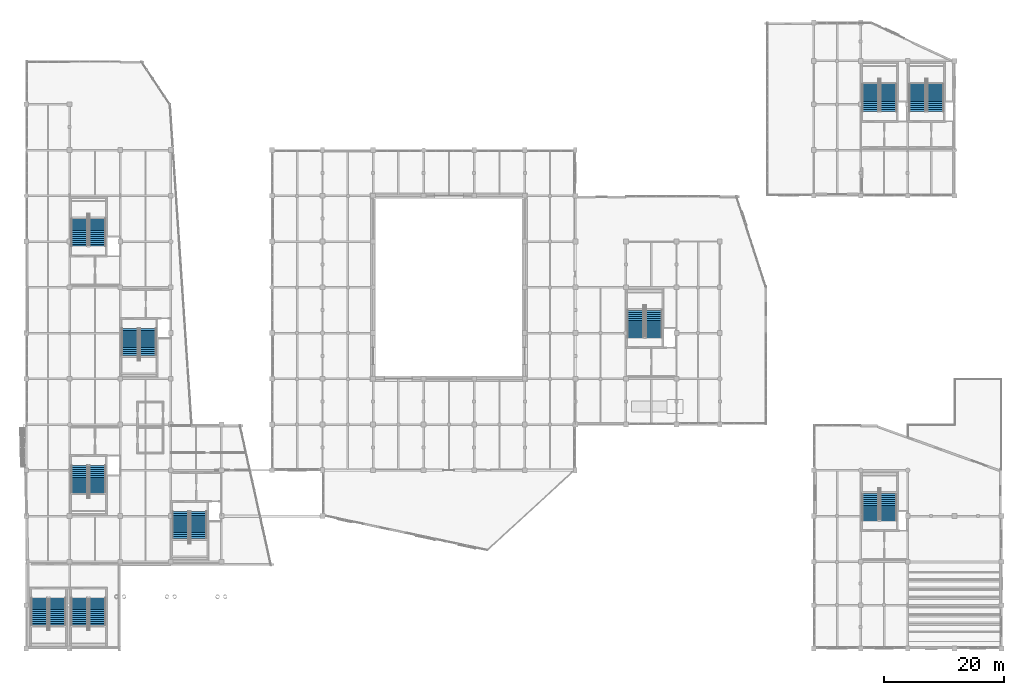
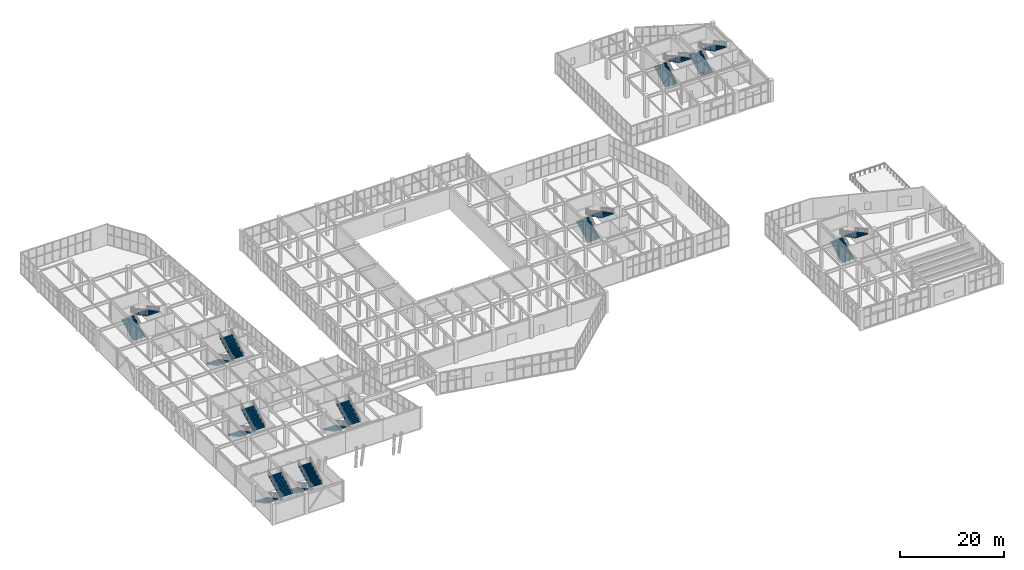
# One storey, part 119 of 128: 20 stair flights, 10 elements without a shape of their own.
"""IFC4 building model written with IfcOpenShell, lengths in metres."""

from ifc_helpers import new_model, si_unit, direction, frame, origin, place, context, subcontext, project, spatial, polyline, outline, extrude, material, type_object, element, aggregate, save


model = new_model("IFC4")

# Units and contexts
model_context = context("Model", 3, precision=1e-05, world=origin(), true_north=direction((0.0, 1.0)))
body_context = subcontext(model_context, "Body", "Model", "MODEL_VIEW")
ifc_project = project(units=[si_unit("LENGTHUNIT", "METRE"), si_unit("AREAUNIT", "SQUARE_METRE"), si_unit("VOLUMEUNIT", "CUBIC_METRE"), si_unit("PLANEANGLEUNIT", "RADIAN"), si_unit("MASSUNIT", "GRAM", prefix="KILO")], contexts=[model_context])

# Site, building, storey
site_placement = place(None, origin())
site = spatial("IfcSite", under=ifc_project, at=site_placement, CompositionType="ELEMENT")
building_placement = place(site_placement, origin())
building = spatial("IfcBuilding", under=site, at=building_placement, Name="Xicomal Pleat Aquarium", CompositionType="ELEMENT")
storey_placement = place(building_placement, frame((0.0, 0.0, 5.39990234375)))
storey = spatial("IfcBuildingStorey", under=building, at=storey_placement, Name="L02", CompositionType="ELEMENT", Elevation=5.39990234375)

# Stair, stair flights
ifc_material_1 = material(Name="Concrete C35/45", Category="concrete")
stair_type = type_object("IfcStairType", Name="STR-HT-5100-2400", PredefinedType="HALF_TURN_STAIR", material=ifc_material_1)
stair_1_placement = place(storey_placement, origin())
stair_1 = element("IfcStair", 1, at=stair_1_placement, inside=storey, type_object=stair_type, Name="ST-01 fire exit stair L02 to L03", PredefinedType="HALF_TURN_STAIR")
ifc_material_2 = material(Name="Concrete C35/45", Category="concrete")
stair_flight_type = type_object("IfcStairFlightType", Name="STF-5100-2400", PredefinedType="STRAIGHT", material=ifc_material_2)
stair_flight_1_placement = place(storey_placement, frame((11.81005859375, 31.179931640625, 0.0), z_axis=(0.0, 0.0, 1.0), x_axis=(0.0, -1.0, 0.0)))
stair_flight_1 = element("IfcStairFlight", 2, at=stair_flight_1_placement, type_object=stair_flight_type, Name="ST-01 flight 1", NumberOfRisers=15, NumberOfTreads=14, PredefinedType="STRAIGHT", RiserHeight=0.17, TreadLength=0.322, context=body_context, shape_type="SweptSolid", body=[
    extrude(outline(polyline([(0.0, 0.0), (0.0, 0.169921875), (0.322021484375, 0.169921875), (0.322021484375, 0.340087890625), (0.64404296875, 0.340087890625), (0.64404296875, 0.510009765625), (0.966064453125, 0.510009765625), (0.966064453125, 0.679931640625), (1.2880859375, 0.679931640625), (1.2880859375, 0.85009765625), (1.610107421875, 0.85009765625), (1.610107421875, 1.02001953125), (1.931884765625, 1.02001953125), (1.931884765625, 1.18994140625), (2.25390625, 1.18994140625), (2.25390625, 1.360107421875), (2.575927734375, 1.360107421875), (2.575927734375, 1.530029296875), (2.89794921875, 1.530029296875), (2.89794921875, 1.699951171875), (3.219970703125, 1.699951171875), (3.219970703125, 1.8701171875), (3.5419921875, 1.8701171875), (3.5419921875, 2.0400390625), (3.864013671875, 2.0400390625), (3.864013671875, 2.2099609375), (4.18603515625, 2.2099609375), (4.18603515625, 2.3798828125), (4.508056640625, 2.3798828125), (4.508056640625, 2.550048828125), (4.508056640625, 2.19921875), (0.342529296875, 0.0), (0.0, 0.0)])), frame((0.0, 1.3701171875, 0.0), z_axis=(0.0, -1.0, 0.0), x_axis=(1.0, 0.0, 0.0)), (0.0, 0.0, 1.0), 2.739990234375),
])
stair_flight_2_placement = place(storey_placement, frame((14.85009765625, 26.672119140625, 2.550048828125), z_axis=(0.0, 0.0, 1.0), x_axis=(0.0, 1.0, 0.0)))
stair_flight_2 = element("IfcStairFlight", 3, at=stair_flight_2_placement, type_object=stair_flight_type, Name="ST-01 flight 2", NumberOfRisers=15, NumberOfTreads=14, PredefinedType="STRAIGHT", RiserHeight=0.17, TreadLength=0.322, context=body_context, shape_type="SweptSolid", body=[
    extrude(outline(polyline([(0.0, 0.0), (0.0, 0.169921875), (0.322021484375, 0.169921875), (0.322021484375, 0.340087890625), (0.64404296875, 0.340087890625), (0.64404296875, 0.510009765625), (0.966064453125, 0.510009765625), (0.966064453125, 0.679931640625), (1.2880859375, 0.679931640625), (1.2880859375, 0.85009765625), (1.610107421875, 0.85009765625), (1.610107421875, 1.02001953125), (1.931884765625, 1.02001953125), (1.931884765625, 1.18994140625), (2.25390625, 1.18994140625), (2.25390625, 1.360107421875), (2.575927734375, 1.360107421875), (2.575927734375, 1.530029296875), (2.89794921875, 1.530029296875), (2.89794921875, 1.699951171875), (3.219970703125, 1.699951171875), (3.219970703125, 1.8701171875), (3.5419921875, 1.8701171875), (3.5419921875, 2.0400390625), (3.864013671875, 2.0400390625), (3.864013671875, 2.2099609375), (4.18603515625, 2.2099609375), (4.18603515625, 2.3798828125), (4.508056640625, 2.3798828125), (4.508056640625, 2.550048828125), (4.508056640625, 2.19921875), (0.342529296875, 0.0), (0.0, 0.0)])), frame((0.0, 1.3701171875, 0.0), z_axis=(0.0, -1.0, 0.0), x_axis=(1.0, 0.0, 0.0)), (0.0, 0.0, 1.0), 2.739990234375),
])
aggregate(stair_1, [stair_flight_1, stair_flight_2])

stair_2_placement = place(storey_placement, origin())
stair_2 = element("IfcStair", 4, at=stair_2_placement, inside=storey, type_object=stair_type, Name="ST-02 fire exit stair L02 to L03", PredefinedType="HALF_TURN_STAIR")
stair_flight_3_placement = place(storey_placement, frame((28.610107421875, 23.580078125, 0.0), z_axis=(0.0, 0.0, 1.0), x_axis=(0.0, -1.0, 0.0)))
stair_flight_3 = element("IfcStairFlight", 5, at=stair_flight_3_placement, type_object=stair_flight_type, Name="ST-02 flight 1", NumberOfRisers=15, NumberOfTreads=14, PredefinedType="STRAIGHT", RiserHeight=0.17, TreadLength=0.322, context=body_context, shape_type="SweptSolid", body=[
    extrude(outline(polyline([(0.0, 0.0), (0.0, 0.169921875), (0.322021484375, 0.169921875), (0.322021484375, 0.340087890625), (0.64404296875, 0.340087890625), (0.64404296875, 0.510009765625), (0.966064453125, 0.510009765625), (0.966064453125, 0.679931640625), (1.2880859375, 0.679931640625), (1.2880859375, 0.85009765625), (1.610107421875, 0.85009765625), (1.610107421875, 1.02001953125), (1.931884765625, 1.02001953125), (1.931884765625, 1.18994140625), (2.25390625, 1.18994140625), (2.25390625, 1.360107421875), (2.575927734375, 1.360107421875), (2.575927734375, 1.530029296875), (2.89794921875, 1.530029296875), (2.89794921875, 1.699951171875), (3.219970703125, 1.699951171875), (3.219970703125, 1.8701171875), (3.5419921875, 1.8701171875), (3.5419921875, 2.0400390625), (3.864013671875, 2.0400390625), (3.864013671875, 2.2099609375), (4.18603515625, 2.2099609375), (4.18603515625, 2.3798828125), (4.508056640625, 2.3798828125), (4.508056640625, 2.550048828125), (4.508056640625, 2.19921875), (0.342529296875, 0.0), (0.0, 0.0)])), frame((0.0, 1.3701171875, 0.0), z_axis=(0.0, -1.0, 0.0), x_axis=(1.0, 0.0, 0.0)), (0.0, 0.0, 1.0), 2.739990234375),
])
stair_flight_4_placement = place(storey_placement, frame((31.64990234375, 19.072021484375, 2.550048828125), z_axis=(0.0, 0.0, 1.0), x_axis=(0.0, 1.0, 0.0)))
stair_flight_4 = element("IfcStairFlight", 6, at=stair_flight_4_placement, type_object=stair_flight_type, Name="ST-02 flight 2", NumberOfRisers=15, NumberOfTreads=14, PredefinedType="STRAIGHT", RiserHeight=0.17, TreadLength=0.322, context=body_context, shape_type="SweptSolid", body=[
    extrude(outline(polyline([(0.0, 0.0), (0.0, 0.169921875), (0.322021484375, 0.169921875), (0.322021484375, 0.340087890625), (0.64404296875, 0.340087890625), (0.64404296875, 0.510009765625), (0.966064453125, 0.510009765625), (0.966064453125, 0.679931640625), (1.2880859375, 0.679931640625), (1.2880859375, 0.85009765625), (1.610107421875, 0.85009765625), (1.610107421875, 1.02001953125), (1.931884765625, 1.02001953125), (1.931884765625, 1.18994140625), (2.25390625, 1.18994140625), (2.25390625, 1.360107421875), (2.575927734375, 1.360107421875), (2.575927734375, 1.530029296875), (2.89794921875, 1.530029296875), (2.89794921875, 1.699951171875), (3.219970703125, 1.699951171875), (3.219970703125, 1.8701171875), (3.5419921875, 1.8701171875), (3.5419921875, 2.0400390625), (3.864013671875, 2.0400390625), (3.864013671875, 2.2099609375), (4.18603515625, 2.2099609375), (4.18603515625, 2.3798828125), (4.508056640625, 2.3798828125), (4.508056640625, 2.550048828125), (4.508056640625, 2.19921875), (0.342529296875, 0.0), (0.0, 0.0)])), frame((0.0, 1.3701171875, 0.0), z_axis=(0.0, -1.0, 0.0), x_axis=(1.0, 0.0, 0.0)), (0.0, 0.0, 1.0), 2.739990234375),
])
aggregate(stair_2, [stair_flight_3, stair_flight_4])

stair_3_placement = place(storey_placement, origin())
stair_3 = element("IfcStair", 7, at=stair_3_placement, inside=storey, type_object=stair_type, Name="ST-03 fire exit stair L02 to L03", PredefinedType="HALF_TURN_STAIR")
stair_flight_5_placement = place(storey_placement, frame((11.81005859375, 67.6201171875, 0.0), z_axis=(0.0, 0.0, 1.0), x_axis=(0.0, 1.0, 0.0)))
stair_flight_5 = element("IfcStairFlight", 8, at=stair_flight_5_placement, type_object=stair_flight_type, Name="ST-03 flight 1", NumberOfRisers=15, NumberOfTreads=14, PredefinedType="STRAIGHT", RiserHeight=0.17, TreadLength=0.322, context=body_context, shape_type="SweptSolid", body=[
    extrude(outline(polyline([(0.0, 0.0), (0.0, 0.169921875), (0.322021484375, 0.169921875), (0.322021484375, 0.340087890625), (0.64404296875, 0.340087890625), (0.64404296875, 0.510009765625), (0.966064453125, 0.510009765625), (0.966064453125, 0.679931640625), (1.2880859375, 0.679931640625), (1.2880859375, 0.85009765625), (1.610107421875, 0.85009765625), (1.610107421875, 1.02001953125), (1.931884765625, 1.02001953125), (1.931884765625, 1.18994140625), (2.25390625, 1.18994140625), (2.25390625, 1.360107421875), (2.575927734375, 1.360107421875), (2.575927734375, 1.530029296875), (2.89794921875, 1.530029296875), (2.89794921875, 1.699951171875), (3.219970703125, 1.699951171875), (3.219970703125, 1.8701171875), (3.5419921875, 1.8701171875), (3.5419921875, 2.0400390625), (3.864013671875, 2.0400390625), (3.864013671875, 2.2099609375), (4.18603515625, 2.2099609375), (4.18603515625, 2.3798828125), (4.508056640625, 2.3798828125), (4.508056640625, 2.550048828125), (4.508056640625, 2.19921875), (0.342529296875, 0.0), (0.0, 0.0)])), frame((0.0, 1.3701171875, 0.0), z_axis=(0.0, -1.0, 0.0), x_axis=(1.0, 0.0, 0.0)), (0.0, 0.0, 1.0), 2.739990234375),
])
stair_flight_6_placement = place(storey_placement, frame((14.85009765625, 72.1279296875, 2.550048828125), z_axis=(0.0, 0.0, 1.0), x_axis=(0.0, -1.0, 0.0)))
stair_flight_6 = element("IfcStairFlight", 9, at=stair_flight_6_placement, type_object=stair_flight_type, Name="ST-03 flight 2", NumberOfRisers=15, NumberOfTreads=14, PredefinedType="STRAIGHT", RiserHeight=0.17, TreadLength=0.322, context=body_context, shape_type="SweptSolid", body=[
    extrude(outline(polyline([(0.0, 0.0), (0.0, 0.169921875), (0.322021484375, 0.169921875), (0.322021484375, 0.340087890625), (0.64404296875, 0.340087890625), (0.64404296875, 0.510009765625), (0.966064453125, 0.510009765625), (0.966064453125, 0.679931640625), (1.2880859375, 0.679931640625), (1.2880859375, 0.85009765625), (1.610107421875, 0.85009765625), (1.610107421875, 1.02001953125), (1.931884765625, 1.02001953125), (1.931884765625, 1.18994140625), (2.25390625, 1.18994140625), (2.25390625, 1.360107421875), (2.575927734375, 1.360107421875), (2.575927734375, 1.530029296875), (2.89794921875, 1.530029296875), (2.89794921875, 1.699951171875), (3.219970703125, 1.699951171875), (3.219970703125, 1.8701171875), (3.5419921875, 1.8701171875), (3.5419921875, 2.0400390625), (3.864013671875, 2.0400390625), (3.864013671875, 2.2099609375), (4.18603515625, 2.2099609375), (4.18603515625, 2.3798828125), (4.508056640625, 2.3798828125), (4.508056640625, 2.550048828125), (4.508056640625, 2.19921875), (0.342529296875, 0.0), (0.0, 0.0)])), frame((0.0, 1.3701171875, 0.0), z_axis=(0.0, -1.0, 0.0), x_axis=(1.0, 0.0, 0.0)), (0.0, 0.0, 1.0), 2.739990234375),
])
aggregate(stair_3, [stair_flight_5, stair_flight_6])

stair_4_placement = place(storey_placement, origin())
stair_4 = element("IfcStair", 10, at=stair_4_placement, inside=storey, type_object=stair_type, Name="ST-04 fire exit stair L02 to L03", PredefinedType="HALF_TURN_STAIR")
stair_flight_7_placement = place(storey_placement, frame((20.2099609375, 53.97998046875, 0.0), z_axis=(0.0, 0.0, 1.0), x_axis=(0.0, -1.0, 0.0)))
stair_flight_7 = element("IfcStairFlight", 11, at=stair_flight_7_placement, type_object=stair_flight_type, Name="ST-04 flight 1", NumberOfRisers=15, NumberOfTreads=14, PredefinedType="STRAIGHT", RiserHeight=0.17, TreadLength=0.322, context=body_context, shape_type="SweptSolid", body=[
    extrude(outline(polyline([(0.0, 0.0), (0.0, 0.169921875), (0.322021484375, 0.169921875), (0.322021484375, 0.340087890625), (0.64404296875, 0.340087890625), (0.64404296875, 0.510009765625), (0.966064453125, 0.510009765625), (0.966064453125, 0.679931640625), (1.2880859375, 0.679931640625), (1.2880859375, 0.85009765625), (1.610107421875, 0.85009765625), (1.610107421875, 1.02001953125), (1.931884765625, 1.02001953125), (1.931884765625, 1.18994140625), (2.25390625, 1.18994140625), (2.25390625, 1.360107421875), (2.575927734375, 1.360107421875), (2.575927734375, 1.530029296875), (2.89794921875, 1.530029296875), (2.89794921875, 1.699951171875), (3.219970703125, 1.699951171875), (3.219970703125, 1.8701171875), (3.5419921875, 1.8701171875), (3.5419921875, 2.0400390625), (3.864013671875, 2.0400390625), (3.864013671875, 2.2099609375), (4.18603515625, 2.2099609375), (4.18603515625, 2.3798828125), (4.508056640625, 2.3798828125), (4.508056640625, 2.550048828125), (4.508056640625, 2.19921875), (0.342529296875, 0.0), (0.0, 0.0)])), frame((0.0, 1.3701171875, 0.0), z_axis=(0.0, -1.0, 0.0), x_axis=(1.0, 0.0, 0.0)), (0.0, 0.0, 1.0), 2.739990234375),
])
stair_flight_8_placement = place(storey_placement, frame((23.25, 49.471923828125, 2.550048828125), z_axis=(0.0, 0.0, 1.0), x_axis=(0.0, 1.0, 0.0)))
stair_flight_8 = element("IfcStairFlight", 12, at=stair_flight_8_placement, type_object=stair_flight_type, Name="ST-04 flight 2", NumberOfRisers=15, NumberOfTreads=14, PredefinedType="STRAIGHT", RiserHeight=0.17, TreadLength=0.322, context=body_context, shape_type="SweptSolid", body=[
    extrude(outline(polyline([(0.0, 0.0), (0.0, 0.169921875), (0.322021484375, 0.169921875), (0.322021484375, 0.340087890625), (0.64404296875, 0.340087890625), (0.64404296875, 0.510009765625), (0.966064453125, 0.510009765625), (0.966064453125, 0.679931640625), (1.2880859375, 0.679931640625), (1.2880859375, 0.85009765625), (1.610107421875, 0.85009765625), (1.610107421875, 1.02001953125), (1.931884765625, 1.02001953125), (1.931884765625, 1.18994140625), (2.25390625, 1.18994140625), (2.25390625, 1.360107421875), (2.575927734375, 1.360107421875), (2.575927734375, 1.530029296875), (2.89794921875, 1.530029296875), (2.89794921875, 1.699951171875), (3.219970703125, 1.699951171875), (3.219970703125, 1.8701171875), (3.5419921875, 1.8701171875), (3.5419921875, 2.0400390625), (3.864013671875, 2.0400390625), (3.864013671875, 2.2099609375), (4.18603515625, 2.2099609375), (4.18603515625, 2.3798828125), (4.508056640625, 2.3798828125), (4.508056640625, 2.550048828125), (4.508056640625, 2.19921875), (0.342529296875, 0.0), (0.0, 0.0)])), frame((0.0, 1.3701171875, 0.0), z_axis=(0.0, -1.0, 0.0), x_axis=(1.0, 0.0, 0.0)), (0.0, 0.0, 1.0), 2.739990234375),
])
aggregate(stair_4, [stair_flight_7, stair_flight_8])

stair_5_placement = place(storey_placement, origin())
stair_5 = element("IfcStair", 13, at=stair_5_placement, inside=storey, type_object=stair_type, Name="ST-05 fire exit stair L02 to L03", PredefinedType="HALF_TURN_STAIR")
stair_flight_9_placement = place(storey_placement, frame((143.2099609375, 90.02001953125, 0.0), z_axis=(0.0, 0.0, 1.0), x_axis=(0.0, 1.0, 0.0)))
stair_flight_9 = element("IfcStairFlight", 14, at=stair_flight_9_placement, type_object=stair_flight_type, Name="ST-05 flight 1", NumberOfRisers=15, NumberOfTreads=14, PredefinedType="STRAIGHT", RiserHeight=0.17, TreadLength=0.322, context=body_context, shape_type="SweptSolid", body=[
    extrude(outline(polyline([(0.0, 0.0), (0.0, 0.169921875), (0.322021484375, 0.169921875), (0.322021484375, 0.340087890625), (0.64404296875, 0.340087890625), (0.64404296875, 0.510009765625), (0.966064453125, 0.510009765625), (0.966064453125, 0.679931640625), (1.2880859375, 0.679931640625), (1.2880859375, 0.85009765625), (1.610107421875, 0.85009765625), (1.610107421875, 1.02001953125), (1.931884765625, 1.02001953125), (1.931884765625, 1.18994140625), (2.25390625, 1.18994140625), (2.25390625, 1.360107421875), (2.575927734375, 1.360107421875), (2.575927734375, 1.530029296875), (2.89794921875, 1.530029296875), (2.89794921875, 1.699951171875), (3.219970703125, 1.699951171875), (3.219970703125, 1.8701171875), (3.5419921875, 1.8701171875), (3.5419921875, 2.0400390625), (3.864013671875, 2.0400390625), (3.864013671875, 2.2099609375), (4.18603515625, 2.2099609375), (4.18603515625, 2.3798828125), (4.508056640625, 2.3798828125), (4.508056640625, 2.550048828125), (4.508056640625, 2.19921875), (0.342529296875, 0.0), (0.0, 0.0)])), frame((0.0, 1.3701171875, 0.0), z_axis=(0.0, -1.0, 0.0), x_axis=(1.0, 0.0, 0.0)), (0.0, 0.0, 1.0), 2.739990234375),
])
stair_flight_10_placement = place(storey_placement, frame((146.25, 94.528076171875, 2.550048828125), z_axis=(0.0, 0.0, 1.0), x_axis=(0.0, -1.0, 0.0)))
stair_flight_10 = element("IfcStairFlight", 15, at=stair_flight_10_placement, type_object=stair_flight_type, Name="ST-05 flight 2", NumberOfRisers=15, NumberOfTreads=14, PredefinedType="STRAIGHT", RiserHeight=0.17, TreadLength=0.322, context=body_context, shape_type="SweptSolid", body=[
    extrude(outline(polyline([(0.0, 0.0), (0.0, 0.169921875), (0.322021484375, 0.169921875), (0.322021484375, 0.340087890625), (0.64404296875, 0.340087890625), (0.64404296875, 0.510009765625), (0.966064453125, 0.510009765625), (0.966064453125, 0.679931640625), (1.2880859375, 0.679931640625), (1.2880859375, 0.85009765625), (1.610107421875, 0.85009765625), (1.610107421875, 1.02001953125), (1.931884765625, 1.02001953125), (1.931884765625, 1.18994140625), (2.25390625, 1.18994140625), (2.25390625, 1.360107421875), (2.575927734375, 1.360107421875), (2.575927734375, 1.530029296875), (2.89794921875, 1.530029296875), (2.89794921875, 1.699951171875), (3.219970703125, 1.699951171875), (3.219970703125, 1.8701171875), (3.5419921875, 1.8701171875), (3.5419921875, 2.0400390625), (3.864013671875, 2.0400390625), (3.864013671875, 2.2099609375), (4.18603515625, 2.2099609375), (4.18603515625, 2.3798828125), (4.508056640625, 2.3798828125), (4.508056640625, 2.550048828125), (4.508056640625, 2.19921875), (0.342529296875, 0.0), (0.0, 0.0)])), frame((0.0, 1.3701171875, 0.0), z_axis=(0.0, -1.0, 0.0), x_axis=(1.0, 0.0, 0.0)), (0.0, 0.0, 1.0), 2.739990234375),
])
aggregate(stair_5, [stair_flight_9, stair_flight_10])

stair_6_placement = place(storey_placement, origin())
stair_6 = element("IfcStair", 16, at=stair_6_placement, inside=storey, type_object=stair_type, Name="ST-06 fire exit stair L02 to L03", PredefinedType="HALF_TURN_STAIR")
stair_flight_11_placement = place(storey_placement, frame((151.010009765625, 90.02001953125, 0.0), z_axis=(0.0, 0.0, 1.0), x_axis=(0.0, 1.0, 0.0)))
stair_flight_11 = element("IfcStairFlight", 17, at=stair_flight_11_placement, type_object=stair_flight_type, Name="ST-06 flight 1", NumberOfRisers=15, NumberOfTreads=14, PredefinedType="STRAIGHT", RiserHeight=0.17, TreadLength=0.322, context=body_context, shape_type="SweptSolid", body=[
    extrude(outline(polyline([(0.0, 0.0), (0.0, 0.169921875), (0.322021484375, 0.169921875), (0.322021484375, 0.340087890625), (0.64404296875, 0.340087890625), (0.64404296875, 0.510009765625), (0.966064453125, 0.510009765625), (0.966064453125, 0.679931640625), (1.2880859375, 0.679931640625), (1.2880859375, 0.85009765625), (1.610107421875, 0.85009765625), (1.610107421875, 1.02001953125), (1.931884765625, 1.02001953125), (1.931884765625, 1.18994140625), (2.25390625, 1.18994140625), (2.25390625, 1.360107421875), (2.575927734375, 1.360107421875), (2.575927734375, 1.530029296875), (2.89794921875, 1.530029296875), (2.89794921875, 1.699951171875), (3.219970703125, 1.699951171875), (3.219970703125, 1.8701171875), (3.5419921875, 1.8701171875), (3.5419921875, 2.0400390625), (3.864013671875, 2.0400390625), (3.864013671875, 2.2099609375), (4.18603515625, 2.2099609375), (4.18603515625, 2.3798828125), (4.508056640625, 2.3798828125), (4.508056640625, 2.550048828125), (4.508056640625, 2.19921875), (0.342529296875, 0.0), (0.0, 0.0)])), frame((0.0, 1.3701171875, 0.0), z_axis=(0.0, -1.0, 0.0), x_axis=(1.0, 0.0, 0.0)), (0.0, 0.0, 1.0), 2.739990234375),
])
stair_flight_12_placement = place(storey_placement, frame((154.050048828125, 94.528076171875, 2.550048828125), z_axis=(0.0, 0.0, 1.0), x_axis=(0.0, -1.0, 0.0)))
stair_flight_12 = element("IfcStairFlight", 18, at=stair_flight_12_placement, type_object=stair_flight_type, Name="ST-06 flight 2", NumberOfRisers=15, NumberOfTreads=14, PredefinedType="STRAIGHT", RiserHeight=0.17, TreadLength=0.322, context=body_context, shape_type="SweptSolid", body=[
    extrude(outline(polyline([(0.0, 0.0), (0.0, 0.169921875), (0.322021484375, 0.169921875), (0.322021484375, 0.340087890625), (0.64404296875, 0.340087890625), (0.64404296875, 0.510009765625), (0.966064453125, 0.510009765625), (0.966064453125, 0.679931640625), (1.2880859375, 0.679931640625), (1.2880859375, 0.85009765625), (1.610107421875, 0.85009765625), (1.610107421875, 1.02001953125), (1.931884765625, 1.02001953125), (1.931884765625, 1.18994140625), (2.25390625, 1.18994140625), (2.25390625, 1.360107421875), (2.575927734375, 1.360107421875), (2.575927734375, 1.530029296875), (2.89794921875, 1.530029296875), (2.89794921875, 1.699951171875), (3.219970703125, 1.699951171875), (3.219970703125, 1.8701171875), (3.5419921875, 1.8701171875), (3.5419921875, 2.0400390625), (3.864013671875, 2.0400390625), (3.864013671875, 2.2099609375), (4.18603515625, 2.2099609375), (4.18603515625, 2.3798828125), (4.508056640625, 2.3798828125), (4.508056640625, 2.550048828125), (4.508056640625, 2.19921875), (0.342529296875, 0.0), (0.0, 0.0)])), frame((0.0, 1.3701171875, 0.0), z_axis=(0.0, -1.0, 0.0), x_axis=(1.0, 0.0, 0.0)), (0.0, 0.0, 1.0), 2.739990234375),
])
aggregate(stair_6, [stair_flight_11, stair_flight_12])

stair_7_placement = place(storey_placement, origin())
stair_7 = element("IfcStair", 19, at=stair_7_placement, inside=storey, type_object=stair_type, Name="ST-07 fire exit stair L02 to L03", PredefinedType="HALF_TURN_STAIR")
stair_flight_13_placement = place(storey_placement, frame((104.2099609375, 52.419921875, 0.0), z_axis=(0.0, 0.0, 1.0), x_axis=(0.0, 1.0, 0.0)))
stair_flight_13 = element("IfcStairFlight", 20, at=stair_flight_13_placement, type_object=stair_flight_type, Name="ST-07 flight 1", NumberOfRisers=15, NumberOfTreads=14, PredefinedType="STRAIGHT", RiserHeight=0.17, TreadLength=0.322, context=body_context, shape_type="SweptSolid", body=[
    extrude(outline(polyline([(0.0, 0.0), (0.0, 0.169921875), (0.322021484375, 0.169921875), (0.322021484375, 0.340087890625), (0.64404296875, 0.340087890625), (0.64404296875, 0.510009765625), (0.966064453125, 0.510009765625), (0.966064453125, 0.679931640625), (1.2880859375, 0.679931640625), (1.2880859375, 0.85009765625), (1.610107421875, 0.85009765625), (1.610107421875, 1.02001953125), (1.931884765625, 1.02001953125), (1.931884765625, 1.18994140625), (2.25390625, 1.18994140625), (2.25390625, 1.360107421875), (2.575927734375, 1.360107421875), (2.575927734375, 1.530029296875), (2.89794921875, 1.530029296875), (2.89794921875, 1.699951171875), (3.219970703125, 1.699951171875), (3.219970703125, 1.8701171875), (3.5419921875, 1.8701171875), (3.5419921875, 2.0400390625), (3.864013671875, 2.0400390625), (3.864013671875, 2.2099609375), (4.18603515625, 2.2099609375), (4.18603515625, 2.3798828125), (4.508056640625, 2.3798828125), (4.508056640625, 2.550048828125), (4.508056640625, 2.19921875), (0.342529296875, 0.0), (0.0, 0.0)])), frame((0.0, 1.3701171875, 0.0), z_axis=(0.0, -1.0, 0.0), x_axis=(1.0, 0.0, 0.0)), (0.0, 0.0, 1.0), 2.739990234375),
])
stair_flight_14_placement = place(storey_placement, frame((107.25, 56.927978515625, 2.550048828125), z_axis=(0.0, 0.0, 1.0), x_axis=(0.0, -1.0, 0.0)))
stair_flight_14 = element("IfcStairFlight", 21, at=stair_flight_14_placement, type_object=stair_flight_type, Name="ST-07 flight 2", NumberOfRisers=15, NumberOfTreads=14, PredefinedType="STRAIGHT", RiserHeight=0.17, TreadLength=0.322, context=body_context, shape_type="SweptSolid", body=[
    extrude(outline(polyline([(0.0, 0.0), (0.0, 0.169921875), (0.322021484375, 0.169921875), (0.322021484375, 0.340087890625), (0.64404296875, 0.340087890625), (0.64404296875, 0.510009765625), (0.966064453125, 0.510009765625), (0.966064453125, 0.679931640625), (1.2880859375, 0.679931640625), (1.2880859375, 0.85009765625), (1.610107421875, 0.85009765625), (1.610107421875, 1.02001953125), (1.931884765625, 1.02001953125), (1.931884765625, 1.18994140625), (2.25390625, 1.18994140625), (2.25390625, 1.360107421875), (2.575927734375, 1.360107421875), (2.575927734375, 1.530029296875), (2.89794921875, 1.530029296875), (2.89794921875, 1.699951171875), (3.219970703125, 1.699951171875), (3.219970703125, 1.8701171875), (3.5419921875, 1.8701171875), (3.5419921875, 2.0400390625), (3.864013671875, 2.0400390625), (3.864013671875, 2.2099609375), (4.18603515625, 2.2099609375), (4.18603515625, 2.3798828125), (4.508056640625, 2.3798828125), (4.508056640625, 2.550048828125), (4.508056640625, 2.19921875), (0.342529296875, 0.0), (0.0, 0.0)])), frame((0.0, 1.3701171875, 0.0), z_axis=(0.0, -1.0, 0.0), x_axis=(1.0, 0.0, 0.0)), (0.0, 0.0, 1.0), 2.739990234375),
])
aggregate(stair_7, [stair_flight_13, stair_flight_14])

stair_8_placement = place(storey_placement, origin())
stair_8 = element("IfcStair", 22, at=stair_8_placement, inside=storey, type_object=stair_type, Name="ST-08 fire exit stair L02 to L03", PredefinedType="HALF_TURN_STAIR")
stair_flight_15_placement = place(storey_placement, frame((143.2099609375, 22.02001953125, 0.0), z_axis=(0.0, 0.0, 1.0), x_axis=(0.0, 1.0, 0.0)))
stair_flight_15 = element("IfcStairFlight", 23, at=stair_flight_15_placement, type_object=stair_flight_type, Name="ST-08 flight 1", NumberOfRisers=15, NumberOfTreads=14, PredefinedType="STRAIGHT", RiserHeight=0.17, TreadLength=0.322, context=body_context, shape_type="SweptSolid", body=[
    extrude(outline(polyline([(0.0, 0.0), (0.0, 0.169921875), (0.322021484375, 0.169921875), (0.322021484375, 0.340087890625), (0.64404296875, 0.340087890625), (0.64404296875, 0.510009765625), (0.966064453125, 0.510009765625), (0.966064453125, 0.679931640625), (1.2880859375, 0.679931640625), (1.2880859375, 0.85009765625), (1.610107421875, 0.85009765625), (1.610107421875, 1.02001953125), (1.931884765625, 1.02001953125), (1.931884765625, 1.18994140625), (2.25390625, 1.18994140625), (2.25390625, 1.360107421875), (2.575927734375, 1.360107421875), (2.575927734375, 1.530029296875), (2.89794921875, 1.530029296875), (2.89794921875, 1.699951171875), (3.219970703125, 1.699951171875), (3.219970703125, 1.8701171875), (3.5419921875, 1.8701171875), (3.5419921875, 2.0400390625), (3.864013671875, 2.0400390625), (3.864013671875, 2.2099609375), (4.18603515625, 2.2099609375), (4.18603515625, 2.3798828125), (4.508056640625, 2.3798828125), (4.508056640625, 2.550048828125), (4.508056640625, 2.19921875), (0.342529296875, 0.0), (0.0, 0.0)])), frame((0.0, 1.3701171875, 0.0), z_axis=(0.0, -1.0, 0.0), x_axis=(1.0, 0.0, 0.0)), (0.0, 0.0, 1.0), 2.739990234375),
])
stair_flight_16_placement = place(storey_placement, frame((146.25, 26.528076171875, 2.550048828125), z_axis=(0.0, 0.0, 1.0), x_axis=(0.0, -1.0, 0.0)))
stair_flight_16 = element("IfcStairFlight", 24, at=stair_flight_16_placement, type_object=stair_flight_type, Name="ST-08 flight 2", NumberOfRisers=15, NumberOfTreads=14, PredefinedType="STRAIGHT", RiserHeight=0.17, TreadLength=0.322, context=body_context, shape_type="SweptSolid", body=[
    extrude(outline(polyline([(0.0, 0.0), (0.0, 0.169921875), (0.322021484375, 0.169921875), (0.322021484375, 0.340087890625), (0.64404296875, 0.340087890625), (0.64404296875, 0.510009765625), (0.966064453125, 0.510009765625), (0.966064453125, 0.679931640625), (1.2880859375, 0.679931640625), (1.2880859375, 0.85009765625), (1.610107421875, 0.85009765625), (1.610107421875, 1.02001953125), (1.931884765625, 1.02001953125), (1.931884765625, 1.18994140625), (2.25390625, 1.18994140625), (2.25390625, 1.360107421875), (2.575927734375, 1.360107421875), (2.575927734375, 1.530029296875), (2.89794921875, 1.530029296875), (2.89794921875, 1.699951171875), (3.219970703125, 1.699951171875), (3.219970703125, 1.8701171875), (3.5419921875, 1.8701171875), (3.5419921875, 2.0400390625), (3.864013671875, 2.0400390625), (3.864013671875, 2.2099609375), (4.18603515625, 2.2099609375), (4.18603515625, 2.3798828125), (4.508056640625, 2.3798828125), (4.508056640625, 2.550048828125), (4.508056640625, 2.19921875), (0.342529296875, 0.0), (0.0, 0.0)])), frame((0.0, 1.3701171875, 0.0), z_axis=(0.0, -1.0, 0.0), x_axis=(1.0, 0.0, 0.0)), (0.0, 0.0, 1.0), 2.739990234375),
])
aggregate(stair_8, [stair_flight_15, stair_flight_16])

stair_9_placement = place(storey_placement, origin())
stair_9 = element("IfcStair", 25, at=stair_9_placement, inside=storey, type_object=stair_type, Name="ST-09 fire exit stair L02 to L03", PredefinedType="HALF_TURN_STAIR")
stair_flight_17_placement = place(storey_placement, frame((11.81005859375, 9.179931640625, 0.0), z_axis=(0.0, 0.0, 1.0), x_axis=(0.0, -1.0, 0.0)))
stair_flight_17 = element("IfcStairFlight", 26, at=stair_flight_17_placement, type_object=stair_flight_type, Name="ST-09 flight 1", NumberOfRisers=15, NumberOfTreads=14, PredefinedType="STRAIGHT", RiserHeight=0.17, TreadLength=0.322, context=body_context, shape_type="SweptSolid", body=[
    extrude(outline(polyline([(0.0, 0.0), (0.0, 0.169921875), (0.322021484375, 0.169921875), (0.322021484375, 0.340087890625), (0.64404296875, 0.340087890625), (0.64404296875, 0.510009765625), (0.966064453125, 0.510009765625), (0.966064453125, 0.679931640625), (1.2880859375, 0.679931640625), (1.2880859375, 0.85009765625), (1.610107421875, 0.85009765625), (1.610107421875, 1.02001953125), (1.931884765625, 1.02001953125), (1.931884765625, 1.18994140625), (2.25390625, 1.18994140625), (2.25390625, 1.360107421875), (2.575927734375, 1.360107421875), (2.575927734375, 1.530029296875), (2.89794921875, 1.530029296875), (2.89794921875, 1.699951171875), (3.219970703125, 1.699951171875), (3.219970703125, 1.8701171875), (3.5419921875, 1.8701171875), (3.5419921875, 2.0400390625), (3.864013671875, 2.0400390625), (3.864013671875, 2.2099609375), (4.18603515625, 2.2099609375), (4.18603515625, 2.3798828125), (4.508056640625, 2.3798828125), (4.508056640625, 2.550048828125), (4.508056640625, 2.19921875), (0.342529296875, 0.0), (0.0, 0.0)])), frame((0.0, 1.3701171875, 0.0), z_axis=(0.0, -1.0, 0.0), x_axis=(1.0, 0.0, 0.0)), (0.0, 0.0, 1.0), 2.739990234375),
])
stair_flight_18_placement = place(storey_placement, frame((14.85009765625, 4.672119140625, 2.550048828125), z_axis=(0.0, 0.0, 1.0), x_axis=(0.0, 1.0, 0.0)))
stair_flight_18 = element("IfcStairFlight", 27, at=stair_flight_18_placement, type_object=stair_flight_type, Name="ST-09 flight 2", NumberOfRisers=15, NumberOfTreads=14, PredefinedType="STRAIGHT", RiserHeight=0.17, TreadLength=0.322, context=body_context, shape_type="SweptSolid", body=[
    extrude(outline(polyline([(0.0, 0.0), (0.0, 0.169921875), (0.322021484375, 0.169921875), (0.322021484375, 0.340087890625), (0.64404296875, 0.340087890625), (0.64404296875, 0.510009765625), (0.966064453125, 0.510009765625), (0.966064453125, 0.679931640625), (1.2880859375, 0.679931640625), (1.2880859375, 0.85009765625), (1.610107421875, 0.85009765625), (1.610107421875, 1.02001953125), (1.931884765625, 1.02001953125), (1.931884765625, 1.18994140625), (2.25390625, 1.18994140625), (2.25390625, 1.360107421875), (2.575927734375, 1.360107421875), (2.575927734375, 1.530029296875), (2.89794921875, 1.530029296875), (2.89794921875, 1.699951171875), (3.219970703125, 1.699951171875), (3.219970703125, 1.8701171875), (3.5419921875, 1.8701171875), (3.5419921875, 2.0400390625), (3.864013671875, 2.0400390625), (3.864013671875, 2.2099609375), (4.18603515625, 2.2099609375), (4.18603515625, 2.3798828125), (4.508056640625, 2.3798828125), (4.508056640625, 2.550048828125), (4.508056640625, 2.19921875), (0.342529296875, 0.0), (0.0, 0.0)])), frame((0.0, 1.3701171875, 0.0), z_axis=(0.0, -1.0, 0.0), x_axis=(1.0, 0.0, 0.0)), (0.0, 0.0, 1.0), 2.739990234375),
])
aggregate(stair_9, [stair_flight_17, stair_flight_18])

stair_10_placement = place(storey_placement, origin())
stair_10 = element("IfcStair", 28, at=stair_10_placement, inside=storey, type_object=stair_type, Name="ST-10 fire exit stair L02 to L03", PredefinedType="HALF_TURN_STAIR")
stair_flight_19_placement = place(storey_placement, frame((5.169921875, 9.179931640625, 0.0), z_axis=(0.0, 0.0, 1.0), x_axis=(0.0, -1.0, 0.0)))
stair_flight_19 = element("IfcStairFlight", 29, at=stair_flight_19_placement, type_object=stair_flight_type, Name="ST-10 flight 1", NumberOfRisers=15, NumberOfTreads=14, PredefinedType="STRAIGHT", RiserHeight=0.17, TreadLength=0.322, context=body_context, shape_type="SweptSolid", body=[
    extrude(outline(polyline([(0.0, 0.0), (0.0, 0.169921875), (0.322021484375, 0.169921875), (0.322021484375, 0.340087890625), (0.64404296875, 0.340087890625), (0.64404296875, 0.510009765625), (0.966064453125, 0.510009765625), (0.966064453125, 0.679931640625), (1.2880859375, 0.679931640625), (1.2880859375, 0.85009765625), (1.610107421875, 0.85009765625), (1.610107421875, 1.02001953125), (1.931884765625, 1.02001953125), (1.931884765625, 1.18994140625), (2.25390625, 1.18994140625), (2.25390625, 1.360107421875), (2.575927734375, 1.360107421875), (2.575927734375, 1.530029296875), (2.89794921875, 1.530029296875), (2.89794921875, 1.699951171875), (3.219970703125, 1.699951171875), (3.219970703125, 1.8701171875), (3.5419921875, 1.8701171875), (3.5419921875, 2.0400390625), (3.864013671875, 2.0400390625), (3.864013671875, 2.2099609375), (4.18603515625, 2.2099609375), (4.18603515625, 2.3798828125), (4.508056640625, 2.3798828125), (4.508056640625, 2.550048828125), (4.508056640625, 2.19921875), (0.342529296875, 0.0), (0.0, 0.0)])), frame((0.0, 1.3701171875, 0.0), z_axis=(0.0, -1.0, 0.0), x_axis=(1.0, 0.0, 0.0)), (0.0, 0.0, 1.0), 2.739990234375),
])
stair_flight_20_placement = place(storey_placement, frame((8.2099609375, 4.672119140625, 2.550048828125), z_axis=(0.0, 0.0, 1.0), x_axis=(0.0, 1.0, 0.0)))
stair_flight_20 = element("IfcStairFlight", 30, at=stair_flight_20_placement, type_object=stair_flight_type, Name="ST-10 flight 2", NumberOfRisers=15, NumberOfTreads=14, PredefinedType="STRAIGHT", RiserHeight=0.17, TreadLength=0.322, context=body_context, shape_type="SweptSolid", body=[
    extrude(outline(polyline([(0.0, 0.0), (0.0, 0.169921875), (0.322021484375, 0.169921875), (0.322021484375, 0.340087890625), (0.64404296875, 0.340087890625), (0.64404296875, 0.510009765625), (0.966064453125, 0.510009765625), (0.966064453125, 0.679931640625), (1.2880859375, 0.679931640625), (1.2880859375, 0.85009765625), (1.610107421875, 0.85009765625), (1.610107421875, 1.02001953125), (1.931884765625, 1.02001953125), (1.931884765625, 1.18994140625), (2.25390625, 1.18994140625), (2.25390625, 1.360107421875), (2.575927734375, 1.360107421875), (2.575927734375, 1.530029296875), (2.89794921875, 1.530029296875), (2.89794921875, 1.699951171875), (3.219970703125, 1.699951171875), (3.219970703125, 1.8701171875), (3.5419921875, 1.8701171875), (3.5419921875, 2.0400390625), (3.864013671875, 2.0400390625), (3.864013671875, 2.2099609375), (4.18603515625, 2.2099609375), (4.18603515625, 2.3798828125), (4.508056640625, 2.3798828125), (4.508056640625, 2.550048828125), (4.508056640625, 2.19921875), (0.342529296875, 0.0), (0.0, 0.0)])), frame((0.0, 1.3701171875, 0.0), z_axis=(0.0, -1.0, 0.0), x_axis=(1.0, 0.0, 0.0)), (0.0, 0.0, 1.0), 2.739990234375),
])
aggregate(stair_10, [stair_flight_19, stair_flight_20])

save(model, "model.ifc")
